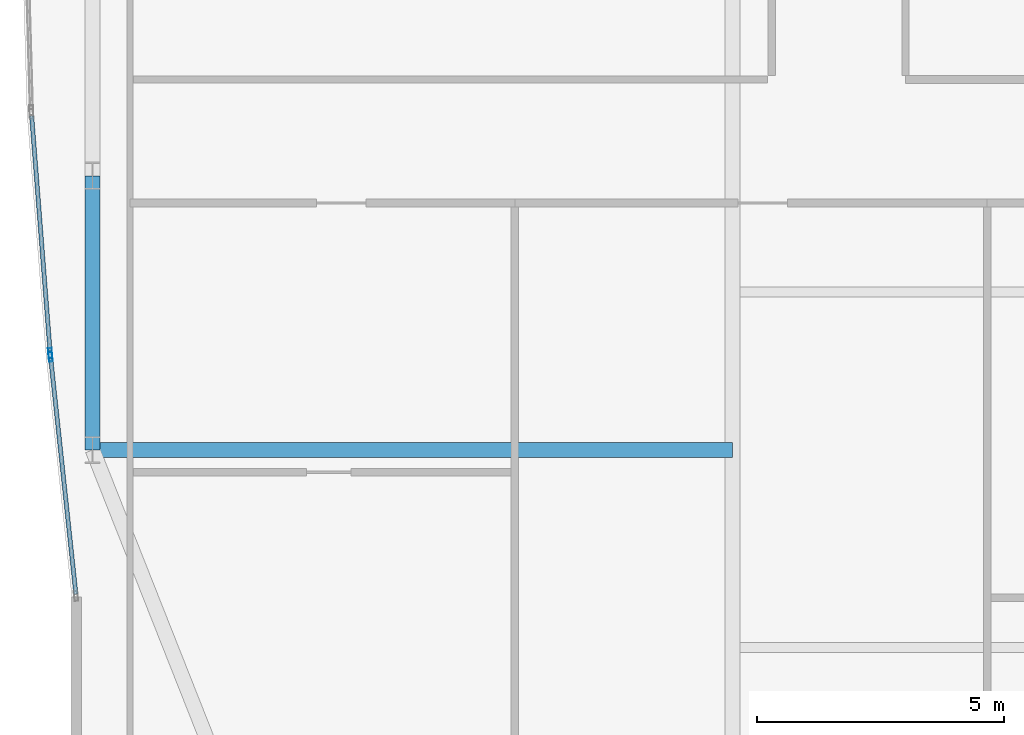
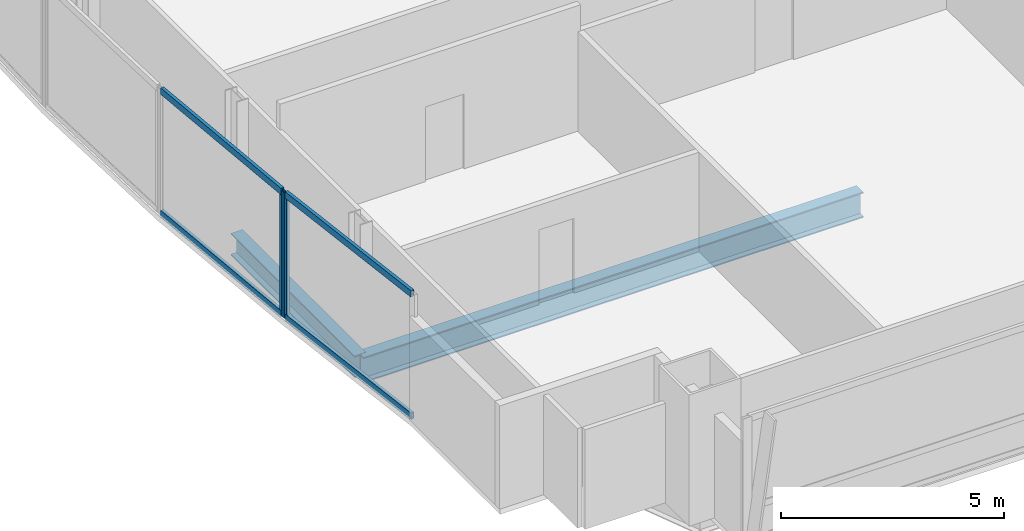
# One storey, part 6 of 29: 6 members, 2 beams, 2 elements without a shape of their own.
"""IFC4 building model written with IfcOpenShell, lengths in metres."""

import ifcopenshell
import ifcopenshell.guid

model = None  # the IFC model being written
_history = None  # IfcOwnerHistory: only IFC2X3 demands one
_inside = {}  # id of a spatial element -> (the spatial element, [elements in it])
_under = {}  # id of a project, library or spatial element -> (it, [spatial elements below it])
_declared = {}  # id of a project -> (the project, [libraries it declares])
_typed = {}  # id of a type object -> (the type object, [elements of that type])
_made_of = {}  # id of a material, layer set ... -> (it, [elements and type objects made of it])


def new_model(schema):
    """Start an empty IFC model of exactly this schema.

    Asked for "IFC4X3", IfcOpenShell would pick the latest addendum, in which some entities
    have other attributes; the version numbers below select the first issue.
    IFC2X3 requires an IfcOwnerHistory on every rooted entity: one is made here for all.
    """
    global model, _history
    if schema == "IFC4X3":
        model = ifcopenshell.file(schema_version=(4, 3, 0, 0))
    else:
        model = ifcopenshell.file(schema=schema)
    _inside.clear()
    _under.clear()
    _declared.clear()
    _typed.clear()
    _made_of.clear()
    _history = None
    if model.schema == "IFC2X3":
        org = make("IfcOrganization", Name="unknown")
        user = make(
            "IfcPersonAndOrganization",
            ThePerson=make("IfcPerson", FamilyName="unknown"),
            TheOrganization=org,
        )
        app = make(
            "IfcApplication",
            ApplicationDeveloper=org,
            Version="unknown",
            ApplicationFullName="unknown",
            ApplicationIdentifier="unknown",
        )
        _history = make(
            "IfcOwnerHistory",
            OwningUser=user,
            OwningApplication=app,
            ChangeAction="ADDED",
            CreationDate=0,
        )
    return model


def make(cls, **values):
    """One entity of the class cls with the attributes given. An attribute that is None is left unset."""
    return model.create_entity(
        cls, **{name: value for name, value in values.items() if value is not None}
    )


def rooted(cls, **values):
    """An entity with a GlobalId (a new one), such as an element, a storey or a relation."""
    return make(cls, GlobalId=ifcopenshell.guid.new(), OwnerHistory=_history, **values)


def si_unit(unit_type, name, prefix=None):
    """IfcSIUnit, for example si_unit("LENGTHUNIT", "METRE", prefix="MILLI")."""
    return make("IfcSIUnit", UnitType=unit_type, Prefix=prefix, Name=name)


def assignment(units):
    """IfcUnitAssignment: the units of a project."""
    return None if units is None else make("IfcUnitAssignment", Units=units)


def point(xyz):
    """IfcCartesianPoint."""
    return None if xyz is None else make("IfcCartesianPoint", Coordinates=xyz)


def direction(xyz):
    """IfcDirection."""
    return None if xyz is None else make("IfcDirection", DirectionRatios=xyz)


def frame(location, z_axis=None, x_axis=None):
    """IfcAxis2Placement3D, a coordinate frame: its origin and axes. An axis left out is left unset."""
    return make(
        "IfcAxis2Placement3D",
        Location=point(location),
        Axis=direction(z_axis),
        RefDirection=direction(x_axis),
    )


def frame_2d(location, x_axis=None):
    """IfcAxis2Placement2D, a coordinate frame in the plane: its origin and x axis."""
    return make(
        "IfcAxis2Placement2D", Location=point(location), RefDirection=direction(x_axis)
    )


def origin():
    """The frame at (0, 0, 0) with its axes left unset."""
    return frame((0.0, 0.0, 0.0))


def origin_2d():
    """The frame at (0, 0) in the plane with its x axis left unset."""
    return frame_2d((0.0, 0.0))


def place(relative_to, where):
    """IfcLocalPlacement: puts the frame where relative to a parent placement (None: the world)."""
    return make(
        "IfcLocalPlacement", PlacementRelTo=relative_to, RelativePlacement=where
    )


def context(
    kind, dimensions, precision=None, world=None, true_north=None, identifier=None
):
    """IfcGeometricRepresentationContext, for example the 3D "Model" context."""
    return make(
        "IfcGeometricRepresentationContext",
        ContextIdentifier=identifier,
        ContextType=kind,
        CoordinateSpaceDimension=dimensions,
        Precision=precision,
        WorldCoordinateSystem=world,
        TrueNorth=true_north,
    )


def subcontext(parent, identifier, kind, view, scale=None):
    """IfcGeometricRepresentationSubContext, for example "Body" below "Model"."""
    return make(
        "IfcGeometricRepresentationSubContext",
        ContextIdentifier=identifier,
        ContextType=kind,
        ParentContext=parent,
        TargetScale=scale,
        TargetView=view,
    )


def project(units=None, contexts=None):
    """IfcProject with its units and contexts."""
    return rooted(
        "IfcProject",
        Name="project",
        RepresentationContexts=contexts,
        UnitsInContext=assignment(units),
    )


def spatial(cls, under=None, at=None, **own):
    """A site, building, storey or space (cls), placed at a placement, below another one or the project."""
    s = rooted(cls, ObjectPlacement=at, **own)
    if under is not None:
        _under.setdefault(under.id(), (under, []))[1].append(s)
    return s


def profile(cls, at=None, kind="AREA", **sizes):
    """A parametric profile (cls). Its sizes go by their IFC names, for example OverallWidth=200.0."""
    return make(cls, ProfileType=kind, Position=at, **sizes)


def hollow_rectangle(**sizes):
    """IfcRectangleHollowProfileDef."""
    return profile("IfcRectangleHollowProfileDef", **sizes)


def i_section(**sizes):
    """IfcIShapeProfileDef."""
    return profile("IfcIShapeProfileDef", **sizes)


def extrude(swept, where, along, depth):
    """IfcExtrudedAreaSolid: the profile swept, set in the frame where, extruded along a direction by depth."""
    return make(
        "IfcExtrudedAreaSolid",
        SweptArea=swept,
        Position=where,
        ExtrudedDirection=direction(along),
        Depth=depth,
    )


def shape(context_of_items, identifier, shape_type, items):
    """IfcShapeRepresentation: the items that make up one representation, for example the "Body"."""
    return make(
        "IfcShapeRepresentation",
        ContextOfItems=context_of_items,
        RepresentationIdentifier=identifier,
        RepresentationType=shape_type,
        Items=items,
    )


def material(Name=None, Category=None):
    """IfcMaterial."""
    return make("IfcMaterial", Name=Name, Category=Category)


def material_profile(
    of_material, cross_section, Name=None, Category=None, Priority=None
):
    """IfcMaterialProfile: a cross section and its material."""
    return make(
        "IfcMaterialProfile",
        Name=Name,
        Material=of_material,
        Profile=cross_section,
        Priority=Priority,
        Category=Category,
    )


def profile_set(profiles, Name=None, composite=None):
    """IfcMaterialProfileSet."""
    return make(
        "IfcMaterialProfileSet",
        Name=Name,
        MaterialProfiles=profiles,
        CompositeProfile=composite,
    )


def made_of(thing, what):
    """Note that an element or type object is made of a material, layer set ...; save() writes the relation."""
    if what is not None:
        _made_of.setdefault(what.id(), (what, []))[1].append(thing)
    return thing


def type_object(cls, material=None, **own):
    """A type object (cls), such as IfcWallType, which elements share."""
    return made_of(rooted(cls, **own), material)


def element(
    cls,
    number,
    at=None,
    inside=None,
    cuts=None,
    type_object=None,
    material=None,
    context=None,
    identifier="Body",
    shape_type=None,
    held_by="IfcProductDefinitionShape",
    body=None,
    shapes=None,
    **own,
):
    """One element of the class cls, such as IfcWall. Its Tag is "e" and its number.

    at: its placement. inside: the storey or other place that contains it. cuts: it is an
    opening in that element (IfcRelVoidsElement). A single representation is given by context,
    identifier, shape_type and body (its items); several are given by shapes. held_by: the class
    of the entity that holds the representations. save() writes the other relations.
    """
    e = rooted(cls, Tag="e%d" % number, ObjectPlacement=at, **own)
    if body is not None:
        shapes = [shape(context, identifier, shape_type, body)]
    if shapes is not None:
        e.Representation = make(held_by, Representations=shapes)
    if inside is not None:
        _inside.setdefault(inside.id(), (inside, []))[1].append(e)
    if cuts is not None:
        rooted(
            "IfcRelVoidsElement", RelatingBuildingElement=cuts, RelatedOpeningElement=e
        )
    if type_object is not None:
        _typed.setdefault(type_object.id(), (type_object, []))[1].append(e)
    return made_of(e, material)


def aggregate(whole, parts):
    """IfcRelAggregates: a whole, such as a stair, and the parts it consists of."""
    return rooted("IfcRelAggregates", RelatingObject=whole, RelatedObjects=parts)


def save(model, path):
    """Write the relations noted so far, then the file.

    IfcRelAggregates (storeys below a building ...), IfcRelContainedInSpatialStructure (elements
    in a storey), IfcRelDefinesByType, IfcRelAssociatesMaterial and IfcRelDeclares: one each for
    every whole, place, type object, material and project.
    """
    for whole, parts in _under.values():
        aggregate(whole, parts)
    for where, things in _inside.values():
        rooted(
            "IfcRelContainedInSpatialStructure",
            RelatedElements=things,
            RelatingStructure=where,
        )
    for kind, things in _typed.values():
        rooted("IfcRelDefinesByType", RelatedObjects=things, RelatingType=kind)
    for what, things in _made_of.values():
        rooted("IfcRelAssociatesMaterial", RelatedObjects=things, RelatingMaterial=what)
    for by, libraries in _declared.values():
        rooted("IfcRelDeclares", RelatingContext=by, RelatedDefinitions=libraries)
    model.write(path)


model = new_model("IFC4")

# Units and contexts
model_context = context("Model", 3, precision=1e-05, world=origin(), true_north=direction((0.0, 1.0)))
body_context = subcontext(model_context, "Body", "Model", "MODEL_VIEW")
ifc_project = project(units=[si_unit("LENGTHUNIT", "METRE"), si_unit("AREAUNIT", "SQUARE_METRE"), si_unit("VOLUMEUNIT", "CUBIC_METRE"), si_unit("PLANEANGLEUNIT", "RADIAN"), si_unit("MASSUNIT", "GRAM", prefix="KILO")], contexts=[model_context])

# Site, building, storey
site_placement = place(None, origin())
site = spatial("IfcSite", under=ifc_project, at=site_placement, CompositionType="ELEMENT")
building_placement = place(site_placement, origin())
building = spatial("IfcBuilding", under=site, at=building_placement, Name="Khoronbel Lancet Exchange", CompositionType="ELEMENT")
storey_placement = place(building_placement, frame((0.0, 0.0, 143.39990234375)))
storey = spatial("IfcBuildingStorey", under=building, at=storey_placement, Name="L35", CompositionType="ELEMENT", Elevation=143.39990234375)

# Beams
ifc_material_1 = material(Name="Steel S355", Category="steel")
ifc_material_profile_1 = material_profile(ifc_material_1, i_section(OverallWidth=0.300048828125, OverallDepth=0.699951171875, WebThickness=0.01708984375, FlangeThickness=0.031982421875, at=origin_2d()), Name="HEB 700")
ifc_profile_set_1 = profile_set([ifc_material_profile_1], Name="Steel S355")
beam_type_1 = type_object("IfcBeamType", Name="BM-BG3", PredefinedType="BEAM", material=ifc_profile_set_1)
beam_1_placement = place(storey_placement, frame((5.27001953125, 19.199951171875, -0.510009765625), z_axis=(1.0, 0.0, 0.0), x_axis=(0.0, 1.0, 0.0)))
element("IfcBeam", 1, at=beam_1_placement, inside=storey, type_object=beam_type_1, Name="Level L35 west lens tie girder LG1W", PredefinedType="BEAM", context=body_context, shape_type="SweptSolid", body=[
    extrude(i_section(OverallWidth=0.300048828125, OverallDepth=0.699951171875, WebThickness=0.01708984375, FlangeThickness=0.031982421875, at=origin_2d()), origin(), (0.0, 0.0, 1.0), 12.955078125),
])
ifc_material_profile_2 = material_profile(ifc_material_1, i_section(OverallWidth=0.300048828125, OverallDepth=0.60009765625, WebThickness=0.015380859375, FlangeThickness=0.030029296875, at=origin_2d()), Name="HEB 600")
ifc_profile_set_2 = profile_set([ifc_material_profile_2], Name="Steel S355")
beam_type_2 = type_object("IfcBeamType", Name="BM-BSP2", PredefinedType="SPANDREL", material=ifc_profile_set_2)
beam_2_placement = place(storey_placement, frame((5.27001953125, 24.75, -0.4599609375), z_axis=(0.0, -1.0, 0.0), x_axis=(1.0, 0.0, 0.0)))
element("IfcBeam", 2, at=beam_2_placement, inside=storey, type_object=beam_type_2, Name="Level L35 perimeter spandrel beam SP20", PredefinedType="SPANDREL", context=body_context, shape_type="SweptSolid", body=[
    extrude(i_section(OverallWidth=0.300048828125, OverallDepth=0.60009765625, WebThickness=0.015380859375, FlangeThickness=0.030029296875, at=origin_2d()), origin(), (0.0, 0.0, 1.0), 5.550048828125),
])

# Curtain wall, member
ifc_material_2 = material(Name="Low-E Solar Control Insulating Glass", Category="glass")
curtain_wall_type = type_object("IfcCurtainWallType", Name="CW-4", PredefinedType="NOTDEFINED", material=ifc_material_2)
curtain_wall_1_placement = place(storey_placement, origin())
curtain_wall_1 = element("IfcCurtainWall", 3, at=curtain_wall_1_placement, inside=storey, type_object=curtain_wall_type, Name="Unitised curtain wall CW-L35-E04", PredefinedType="NOTDEFINED")
ifc_material_3 = material(Name="Bronze-Anodised Aluminium 6063-T6", Category="aluminium")
ifc_material_profile_3 = material_profile(ifc_material_3, hollow_rectangle(XDim=0.074951171875, YDim=0.199951171875, WallThickness=0.0048828125, at=origin_2d()), Name="ALU MULLION 75x200")
ifc_profile_set_3 = profile_set([ifc_material_profile_3], Name="Bronze-Anodised Aluminium 6063-T6")
member_type_1 = type_object("IfcMemberType", Name="MEM-CWM2", PredefinedType="MULLION", material=ifc_profile_set_3)
member_1_placement = place(storey_placement, frame((4.418701171875, 21.087646484375, 0.0), z_axis=(0.0, 0.0, 1.0), x_axis=(-0.994346859972, -0.106180610586, 0.0)))
member_1 = element("IfcMember", 4, at=member_1_placement, type_object=member_type_1, Name="CW4 mullion 2", PredefinedType="MULLION", context=body_context, shape_type="SweptSolid", body=[
    extrude(hollow_rectangle(XDim=0.074951171875, YDim=0.199951171875, WallThickness=0.0048828125, at=origin_2d()), origin(), (0.0, 0.0, 1.0), 3.440185546875),
])

curtain_wall_2_placement = place(storey_placement, origin())
curtain_wall_2 = element("IfcCurtainWall", 5, at=curtain_wall_2_placement, inside=storey, type_object=curtain_wall_type, Name="Unitised curtain wall CW-L35-E05", PredefinedType="NOTDEFINED")
member_2_placement = place(storey_placement, frame((4.41162109375, 21.162353515625, 0.0), z_axis=(0.0, 0.0, 1.0), x_axis=(-0.996959555693, -0.077920756627, 0.0)))
member_2 = element("IfcMember", 6, at=member_2_placement, type_object=member_type_1, Name="CW4 mullion 1", PredefinedType="MULLION", context=body_context, shape_type="SweptSolid", body=[
    extrude(hollow_rectangle(XDim=0.074951171875, YDim=0.199951171875, WallThickness=0.0048828125, at=origin_2d()), origin(), (0.0, 0.0, 1.0), 3.440185546875),
])

# Member
ifc_material_profile_4 = material_profile(ifc_material_3, hollow_rectangle(XDim=0.0849609375, YDim=0.179931640625, WallThickness=0.0048828125, at=origin_2d()), Name="ALU TRANSOM 85x180")
ifc_profile_set_4 = profile_set([ifc_material_profile_4], Name="Bronze-Anodised Aluminium 6063-T6")
member_type_2 = type_object("IfcMemberType", Name="MEM-CWT1", PredefinedType="USERDEFINED", material=ifc_profile_set_4)
member_3_placement = place(storey_placement, frame((4.93212890625, 16.279296875, 0.04248046875), z_axis=(-0.106186389442, 0.994346242864, 0.0), x_axis=(-0.994346242864, -0.106186389442, 0.0)))
member_3 = element("IfcMember", 7, at=member_3_placement, type_object=member_type_2, Name="CW4 transom 1.1", ObjectType="TRANSOM", PredefinedType="USERDEFINED", context=body_context, shape_type="SweptSolid", body=[
    extrude(hollow_rectangle(XDim=0.0849609375, YDim=0.179931640625, WallThickness=0.0048828125, at=origin_2d()), origin(), (0.0, 0.0, 1.0), 4.79833984375),
])

member_4_placement = place(storey_placement, frame((4.93212890625, 16.279296875, 3.397705078125), z_axis=(-0.106186389442, 0.994346242864, 0.0), x_axis=(-0.994346242864, -0.106186389442, 0.0)))
member_4 = element("IfcMember", 8, at=member_4_placement, type_object=member_type_2, Name="CW4 transom 1.2", ObjectType="TRANSOM", PredefinedType="USERDEFINED", context=body_context, shape_type="SweptSolid", body=[
    extrude(hollow_rectangle(XDim=0.0849609375, YDim=0.179931640625, WallThickness=0.0048828125, at=origin_2d()), origin(), (0.0, 0.0, 1.0), 4.79833984375),
])

aggregate(curtain_wall_1, [member_1, member_3, member_4])

member_5_placement = place(storey_placement, frame((4.40869140625, 21.19970703125, 0.04248046875), z_axis=(-0.077919407709, 0.996959661121, 0.0), x_axis=(-0.996959661121, -0.077919407709, 0.0)))
member_5 = element("IfcMember", 9, at=member_5_placement, type_object=member_type_2, Name="CW4 transom 1.1", ObjectType="TRANSOM", PredefinedType="USERDEFINED", context=body_context, shape_type="SweptSolid", body=[
    extrude(hollow_rectangle(XDim=0.0849609375, YDim=0.179931640625, WallThickness=0.0048828125, at=origin_2d()), origin(), (0.0, 0.0, 1.0), 4.7783203125),
])

member_6_placement = place(storey_placement, frame((4.40869140625, 21.19970703125, 3.397705078125), z_axis=(-0.077919407709, 0.996959661121, 0.0), x_axis=(-0.996959661121, -0.077919407709, 0.0)))
member_6 = element("IfcMember", 10, at=member_6_placement, type_object=member_type_2, Name="CW4 transom 1.2", ObjectType="TRANSOM", PredefinedType="USERDEFINED", context=body_context, shape_type="SweptSolid", body=[
    extrude(hollow_rectangle(XDim=0.0849609375, YDim=0.179931640625, WallThickness=0.0048828125, at=origin_2d()), origin(), (0.0, 0.0, 1.0), 4.7783203125),
])

aggregate(curtain_wall_2, [member_2, member_5, member_6])

save(model, "model.ifc")
